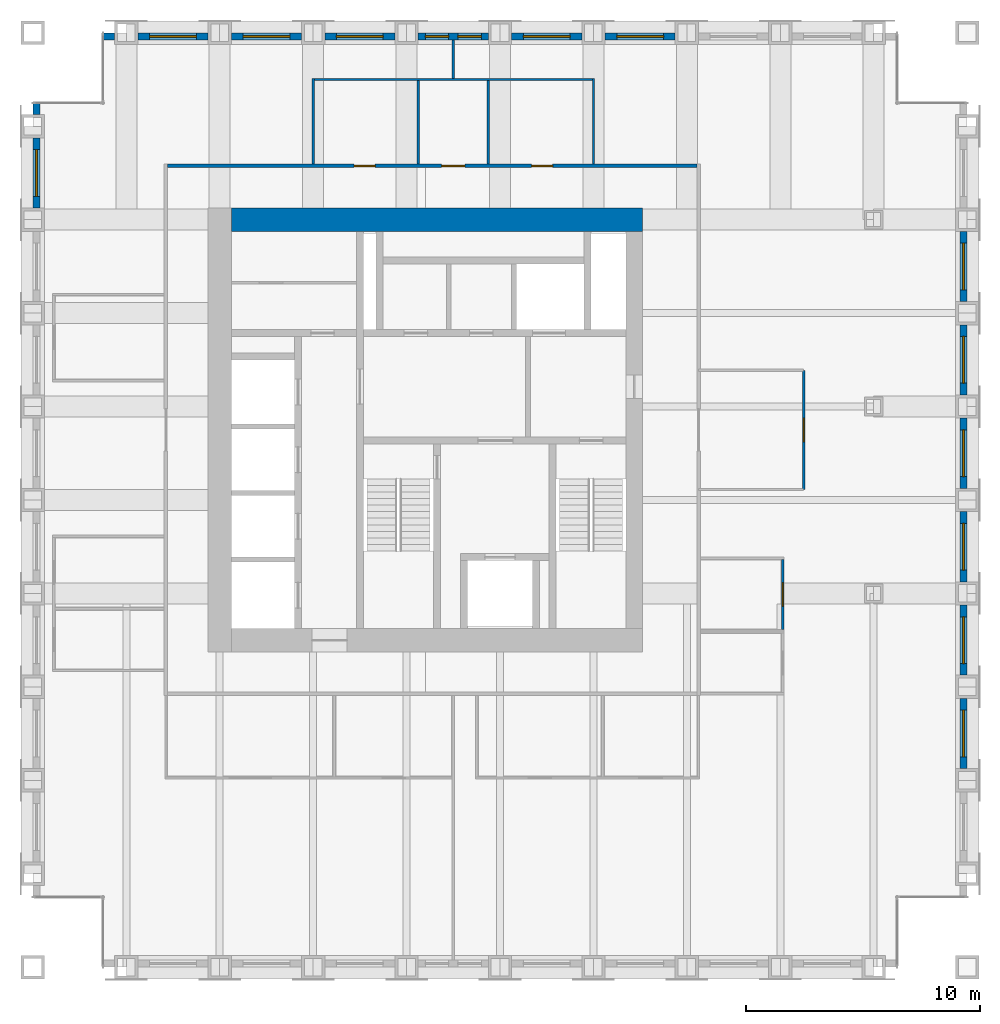
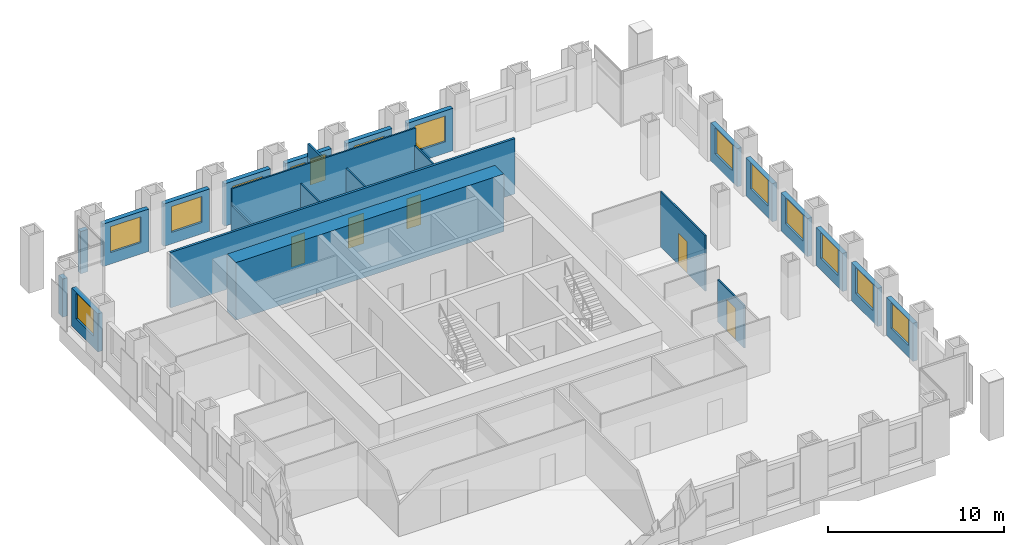
# One storey, part 10 of 12: 25 walls, 14 windows, 5 doors, 19 openings.
"""IFC4 building model written with IfcOpenShell, lengths in metres."""

from ifc_helpers import new_model, si_unit, direction, frame, frame_2d, origin, place, context, subcontext, project, spatial, rectangle, extrude, material, layer, layer_set, type_object, element, fill, save


model = new_model("IFC4")

# Units and contexts
model_context = context("Model", 3, precision=1e-05, world=origin(), true_north=direction((0.0, 1.0)))
body_context = subcontext(model_context, "Body", "Model", "MODEL_VIEW")
ifc_project = project(units=[si_unit("LENGTHUNIT", "METRE"), si_unit("AREAUNIT", "SQUARE_METRE"), si_unit("VOLUMEUNIT", "CUBIC_METRE"), si_unit("PLANEANGLEUNIT", "RADIAN"), si_unit("MASSUNIT", "GRAM", prefix="KILO")], contexts=[model_context])

# Site, building, storey
site_placement = place(None, origin())
site = spatial("IfcSite", under=ifc_project, at=site_placement, CompositionType="ELEMENT")
building_placement = place(site_placement, origin())
building = spatial("IfcBuilding", under=site, at=building_placement, Name="Rimbunsela Tower", CompositionType="ELEMENT")
storey_placement = place(building_placement, frame((0.0, 0.0, 266.199951171875)))
storey = spatial("IfcBuildingStorey", under=building, at=storey_placement, Name="L64", CompositionType="ELEMENT", Elevation=266.199951171875)

# Wall
ifc_material_1 = material(Name="Concrete fc' 80 MPa", Category="concrete")
ifc_layer_1 = layer(ifc_material_1, 1.0)
ifc_layer_set_1 = layer_set([ifc_layer_1], Name="Core wall 1000")
wall_type_1 = type_object("IfcWallType", Name="Core wall 1000", PredefinedType="SHEAR", material=ifc_layer_set_1)
wall_1_placement = place(storey_placement, frame((18.5, 36.0, -0.14990234375), z_axis=(0.0, 0.0, 1.0), x_axis=(1.0, 0.0, 0.0)))
element("IfcWall", 1, at=wall_1_placement, inside=storey, type_object=wall_type_1, Name="Core wall north", PredefinedType="SHEAR", context=body_context, shape_type="SweptSolid", body=[
    extrude(rectangle(XDim=17.60009765625, YDim=1.0, at=frame_2d((8.800048828125, 0.0))), origin(), (0.0, 0.0, 1.0), 4.0),
])

# Wall, opening, door
ifc_material_2 = material(Name="Gypsum board on steel studs", Category="steel")
ifc_layer_2 = layer(ifc_material_2, 0.10009765625)
ifc_layer_set_2 = layer_set([ifc_layer_2], Name="Office partition 100")
wall_type_2 = type_object("IfcWallType", Name="Office partition 100", PredefinedType="PARTITIONING", material=ifc_layer_set_2)
wall_2_placement = place(storey_placement, frame((42.10009765625, 18.449951171875, 0.0), z_axis=(0.0, 0.0, 1.0), x_axis=(0.0, 1.0, 0.0)))
wall_2 = element("IfcWall", 2, at=wall_2_placement, inside=storey, type_object=wall_type_2, Name="Office partition", PredefinedType="PARTITIONING", context=body_context, shape_type="SweptSolid", body=[
    extrude(rectangle(XDim=3.0, YDim=0.10009765625, at=frame_2d((1.5, 0.0))), origin(), (0.0, 0.0, 1.0), 2.949951171875),
])
opening_1_placement = place(wall_2_placement, frame((1.0, 0.0, 0.0)))
opening_1 = element("IfcOpeningElement", 3, at=opening_1_placement, cuts=wall_2, Name="Opening D16", PredefinedType="OPENING", context=body_context, shape_type="SweptSolid", body=[
    extrude(rectangle(XDim=1.0, YDim=2.199951171875, at=frame_2d((0.5, 1.10009765625))), frame((0.0, 0.06005859375, 0.0), z_axis=(0.0, -1.0, 0.0), x_axis=(1.0, 0.0, 0.0)), (0.0, 0.0, 1.0), 0.1201171875),
])
ifc_material_3 = material(Name="Timber door", Category="wood")
door_type_1 = type_object("IfcDoorType", Name="Office door 1000", OperationType="SINGLE_SWING_LEFT", PredefinedType="DOOR", material=ifc_material_3)
door_1_placement = place(opening_1_placement, origin())
door_1 = element("IfcDoor", 4, at=door_1_placement, inside=storey, type_object=door_type_1, Name="Office door", OperationType="SINGLE_SWING_LEFT", OverallHeight=2.199951171875, OverallWidth=1.0, PredefinedType="DOOR", context=body_context, shape_type="SweptSolid", body=[
    extrude(rectangle(XDim=1.0, YDim=2.199951171875, at=frame_2d((0.5, 1.10009765625))), frame((0.0, 0.02490234375, 0.0), z_axis=(0.0, -1.0, 0.0), x_axis=(1.0, 0.0, 0.0)), (0.0, 0.0, 1.0), 0.050048828125),
])
fill(opening_1, door_1)

wall_3_placement = place(storey_placement, frame((43.0, 24.449951171875, 0.0), z_axis=(0.0, 0.0, 1.0), x_axis=(0.0, 1.0, 0.0)))
wall_3 = element("IfcWall", 5, at=wall_3_placement, inside=storey, type_object=wall_type_2, Name="Office partition", PredefinedType="PARTITIONING", context=body_context, shape_type="SweptSolid", body=[
    extrude(rectangle(XDim=5.10009765625, YDim=0.10009765625, at=frame_2d((2.550048828125, 0.0))), origin(), (0.0, 0.0, 1.0), 3.85009765625),
])
opening_2_placement = place(wall_3_placement, frame((2.050048828125, 0.0, 0.0)))
opening_2 = element("IfcOpeningElement", 6, at=opening_2_placement, cuts=wall_3, Name="Opening D17", PredefinedType="OPENING", context=body_context, shape_type="SweptSolid", body=[
    extrude(rectangle(XDim=1.0, YDim=2.199951171875, at=frame_2d((0.5, 1.10009765625))), frame((0.0, 0.06005859375, 0.0), z_axis=(0.0, -1.0, 0.0), x_axis=(1.0, 0.0, 0.0)), (0.0, 0.0, 1.0), 0.1201171875),
])
ifc_material_4 = material(Name="Glazed aluminium door", Category="aluminium")
door_type_2 = type_object("IfcDoorType", Name="Meeting room door 1000 glazed", OperationType="SINGLE_SWING_RIGHT", PredefinedType="DOOR", material=ifc_material_4)
door_2_placement = place(opening_2_placement, origin())
door_2 = element("IfcDoor", 7, at=door_2_placement, inside=storey, type_object=door_type_2, Name="Reception door", OperationType="SINGLE_SWING_RIGHT", OverallHeight=2.199951171875, OverallWidth=1.0, PredefinedType="DOOR", context=body_context, shape_type="SweptSolid", body=[
    extrude(rectangle(XDim=1.0, YDim=2.199951171875, at=frame_2d((0.5, 1.10009765625))), frame((0.0, 0.02490234375, 0.0), z_axis=(0.0, -1.0, 0.0), x_axis=(1.0, 0.0, 0.0)), (0.0, 0.0, 1.0), 0.050048828125),
])
fill(opening_2, door_2)

# Wall, opening, window
ifc_material_5 = material(Name="Precast concrete fc' 35 MPa", Category="concrete")
ifc_layer_3 = layer(ifc_material_5, 0.300048828125)
ifc_layer_set_3 = layer_set([ifc_layer_3], Name="Precast concrete fc' 35 MPa")
wall_type_3 = type_object("IfcWallType", Name="Precast facade panel 300", PredefinedType="ELEMENTEDWALL", material=ifc_layer_set_3)
wall_4_placement = place(storey_placement, frame((49.85009765625, 12.5, 0.0), z_axis=(0.0, 0.0, 1.0), x_axis=(0.0, 1.0, 0.0)))
wall_4 = element("IfcWall", 8, at=wall_4_placement, inside=storey, type_object=wall_type_3, Name="Facade panel E L64", PredefinedType="ELEMENTEDWALL", context=body_context, shape_type="SweptSolid", body=[
    extrude(rectangle(XDim=3.0, YDim=0.300048828125, at=frame_2d((1.5, 0.0))), origin(), (0.0, 0.0, 1.0), 2.650146484375),
])
opening_3_placement = place(wall_4_placement, frame((0.5, 0.0, 0.800048828125)))
opening_3 = element("IfcOpeningElement", 9, at=opening_3_placement, cuts=wall_4, Name="Opening W7", PredefinedType="OPENING", context=body_context, shape_type="SweptSolid", body=[
    extrude(rectangle(XDim=2.0, YDim=1.800048828125, at=frame_2d((1.0, 0.89990234375))), frame((0.0, 0.159912109375, 0.0), z_axis=(0.0, -1.0, 0.0), x_axis=(1.0, 0.0, 0.0)), (0.0, 0.0, 1.0), 0.320068359375),
])
ifc_material_6 = material(Name="Clear glass in aluminium frame", Category="aluminium")
window_type_1 = type_object("IfcWindowType", Name="Window W7 2000x1800", PartitioningType="DOUBLE_PANEL_VERTICAL", PredefinedType="WINDOW", material=ifc_material_6)
window_1_placement = place(opening_3_placement, origin())
window_1 = element("IfcWindow", 10, at=window_1_placement, inside=storey, type_object=window_type_1, Name="Window L64", OverallHeight=1.800048828125, OverallWidth=2.0, PartitioningType="SINGLE_PANEL", PredefinedType="WINDOW", context=body_context, shape_type="SweptSolid", body=[
    extrude(rectangle(XDim=2.0, YDim=1.800048828125, at=frame_2d((1.0, 0.89990234375))), frame((0.0, 0.030029296875, 0.0), z_axis=(0.0, -1.0, 0.0), x_axis=(1.0, 0.0, 0.0)), (0.0, 0.0, 1.0), 0.06005859375),
])
fill(opening_3, window_1)

wall_5_placement = place(storey_placement, frame((49.85009765625, 16.5, 0.0), z_axis=(0.0, 0.0, 1.0), x_axis=(0.0, 1.0, 0.0)))
wall_5 = element("IfcWall", 11, at=wall_5_placement, inside=storey, type_object=wall_type_3, Name="Facade panel E L64", PredefinedType="ELEMENTEDWALL", context=body_context, shape_type="SweptSolid", body=[
    extrude(rectangle(XDim=3.0, YDim=0.300048828125, at=frame_2d((1.5, 0.0))), origin(), (0.0, 0.0, 1.0), 2.650146484375),
])
opening_4_placement = place(wall_5_placement, frame((0.5, 0.0, 0.800048828125)))
opening_4 = element("IfcOpeningElement", 12, at=opening_4_placement, cuts=wall_5, Name="Opening W7", PredefinedType="OPENING", context=body_context, shape_type="SweptSolid", body=[
    extrude(rectangle(XDim=2.0, YDim=1.800048828125, at=frame_2d((1.0, 0.89990234375))), frame((0.0, 0.159912109375, 0.0), z_axis=(0.0, -1.0, 0.0), x_axis=(1.0, 0.0, 0.0)), (0.0, 0.0, 1.0), 0.320068359375),
])
window_2_placement = place(opening_4_placement, origin())
window_2 = element("IfcWindow", 13, at=window_2_placement, inside=storey, type_object=window_type_1, Name="Window L64", OverallHeight=1.800048828125, OverallWidth=2.0, PartitioningType="SINGLE_PANEL", PredefinedType="WINDOW", context=body_context, shape_type="SweptSolid", body=[
    extrude(rectangle(XDim=2.0, YDim=1.800048828125, at=frame_2d((1.0, 0.89990234375))), frame((0.0, 0.030029296875, 0.0), z_axis=(0.0, -1.0, 0.0), x_axis=(1.0, 0.0, 0.0)), (0.0, 0.0, 1.0), 0.06005859375),
])
fill(opening_4, window_2)

wall_6_placement = place(storey_placement, frame((49.85009765625, 20.5, 0.0), z_axis=(0.0, 0.0, 1.0), x_axis=(0.0, 1.0, 0.0)))
wall_6 = element("IfcWall", 14, at=wall_6_placement, inside=storey, type_object=wall_type_3, Name="Facade panel E L64", PredefinedType="ELEMENTEDWALL", context=body_context, shape_type="SweptSolid", body=[
    extrude(rectangle(XDim=3.0, YDim=0.300048828125, at=frame_2d((1.5, 0.0))), origin(), (0.0, 0.0, 1.0), 2.650146484375),
])
opening_5_placement = place(wall_6_placement, frame((0.5, 0.0, 0.800048828125)))
opening_5 = element("IfcOpeningElement", 15, at=opening_5_placement, cuts=wall_6, Name="Opening W7", PredefinedType="OPENING", context=body_context, shape_type="SweptSolid", body=[
    extrude(rectangle(XDim=2.0, YDim=1.800048828125, at=frame_2d((1.0, 0.89990234375))), frame((0.0, 0.159912109375, 0.0), z_axis=(0.0, -1.0, 0.0), x_axis=(1.0, 0.0, 0.0)), (0.0, 0.0, 1.0), 0.320068359375),
])
window_3_placement = place(opening_5_placement, origin())
window_3 = element("IfcWindow", 16, at=window_3_placement, inside=storey, type_object=window_type_1, Name="Window L64", OverallHeight=1.800048828125, OverallWidth=2.0, PartitioningType="SINGLE_PANEL", PredefinedType="WINDOW", context=body_context, shape_type="SweptSolid", body=[
    extrude(rectangle(XDim=2.0, YDim=1.800048828125, at=frame_2d((1.0, 0.89990234375))), frame((0.0, 0.030029296875, 0.0), z_axis=(0.0, -1.0, 0.0), x_axis=(1.0, 0.0, 0.0)), (0.0, 0.0, 1.0), 0.06005859375),
])
fill(opening_5, window_3)

wall_7_placement = place(storey_placement, frame((49.85009765625, 24.5, 0.0), z_axis=(0.0, 0.0, 1.0), x_axis=(0.0, 1.0, 0.0)))
wall_7 = element("IfcWall", 17, at=wall_7_placement, inside=storey, type_object=wall_type_3, Name="Facade panel E L64", PredefinedType="ELEMENTEDWALL", context=body_context, shape_type="SweptSolid", body=[
    extrude(rectangle(XDim=3.0, YDim=0.300048828125, at=frame_2d((1.5, 0.0))), origin(), (0.0, 0.0, 1.0), 2.650146484375),
])
opening_6_placement = place(wall_7_placement, frame((0.5, 0.0, 0.800048828125)))
opening_6 = element("IfcOpeningElement", 18, at=opening_6_placement, cuts=wall_7, Name="Opening W7", PredefinedType="OPENING", context=body_context, shape_type="SweptSolid", body=[
    extrude(rectangle(XDim=2.0, YDim=1.800048828125, at=frame_2d((1.0, 0.89990234375))), frame((0.0, 0.159912109375, 0.0), z_axis=(0.0, -1.0, 0.0), x_axis=(1.0, 0.0, 0.0)), (0.0, 0.0, 1.0), 0.320068359375),
])
window_4_placement = place(opening_6_placement, origin())
window_4 = element("IfcWindow", 19, at=window_4_placement, inside=storey, type_object=window_type_1, Name="Window L64", OverallHeight=1.800048828125, OverallWidth=2.0, PartitioningType="SINGLE_PANEL", PredefinedType="WINDOW", context=body_context, shape_type="SweptSolid", body=[
    extrude(rectangle(XDim=2.0, YDim=1.800048828125, at=frame_2d((1.0, 0.89990234375))), frame((0.0, 0.030029296875, 0.0), z_axis=(0.0, -1.0, 0.0), x_axis=(1.0, 0.0, 0.0)), (0.0, 0.0, 1.0), 0.06005859375),
])
fill(opening_6, window_4)

wall_8_placement = place(storey_placement, frame((49.85009765625, 28.5, 0.0), z_axis=(0.0, 0.0, 1.0), x_axis=(0.0, 1.0, 0.0)))
wall_8 = element("IfcWall", 20, at=wall_8_placement, inside=storey, type_object=wall_type_3, Name="Facade panel E L64", PredefinedType="ELEMENTEDWALL", context=body_context, shape_type="SweptSolid", body=[
    extrude(rectangle(XDim=3.0, YDim=0.300048828125, at=frame_2d((1.5, 0.0))), origin(), (0.0, 0.0, 1.0), 2.650146484375),
])
opening_7_placement = place(wall_8_placement, frame((0.5, 0.0, 0.800048828125)))
opening_7 = element("IfcOpeningElement", 21, at=opening_7_placement, cuts=wall_8, Name="Opening W7", PredefinedType="OPENING", context=body_context, shape_type="SweptSolid", body=[
    extrude(rectangle(XDim=2.0, YDim=1.800048828125, at=frame_2d((1.0, 0.89990234375))), frame((0.0, 0.159912109375, 0.0), z_axis=(0.0, -1.0, 0.0), x_axis=(1.0, 0.0, 0.0)), (0.0, 0.0, 1.0), 0.320068359375),
])
window_5_placement = place(opening_7_placement, origin())
window_5 = element("IfcWindow", 22, at=window_5_placement, inside=storey, type_object=window_type_1, Name="Window L64", OverallHeight=1.800048828125, OverallWidth=2.0, PartitioningType="SINGLE_PANEL", PredefinedType="WINDOW", context=body_context, shape_type="SweptSolid", body=[
    extrude(rectangle(XDim=2.0, YDim=1.800048828125, at=frame_2d((1.0, 0.89990234375))), frame((0.0, 0.030029296875, 0.0), z_axis=(0.0, -1.0, 0.0), x_axis=(1.0, 0.0, 0.0)), (0.0, 0.0, 1.0), 0.06005859375),
])
fill(opening_7, window_5)

wall_9_placement = place(storey_placement, frame((49.85009765625, 32.5, 0.0), z_axis=(0.0, 0.0, 1.0), x_axis=(0.0, 1.0, 0.0)))
wall_9 = element("IfcWall", 23, at=wall_9_placement, inside=storey, type_object=wall_type_3, Name="Facade panel E L64", PredefinedType="ELEMENTEDWALL", context=body_context, shape_type="SweptSolid", body=[
    extrude(rectangle(XDim=3.0, YDim=0.300048828125, at=frame_2d((1.5, 0.0))), origin(), (0.0, 0.0, 1.0), 2.650146484375),
])
opening_8_placement = place(wall_9_placement, frame((0.5, 0.0, 0.800048828125)))
opening_8 = element("IfcOpeningElement", 24, at=opening_8_placement, cuts=wall_9, Name="Opening W7", PredefinedType="OPENING", context=body_context, shape_type="SweptSolid", body=[
    extrude(rectangle(XDim=2.0, YDim=1.800048828125, at=frame_2d((1.0, 0.89990234375))), frame((0.0, 0.159912109375, 0.0), z_axis=(0.0, -1.0, 0.0), x_axis=(1.0, 0.0, 0.0)), (0.0, 0.0, 1.0), 0.320068359375),
])
window_6_placement = place(opening_8_placement, origin())
window_6 = element("IfcWindow", 25, at=window_6_placement, inside=storey, type_object=window_type_1, Name="Window L64", OverallHeight=1.800048828125, OverallWidth=2.0, PartitioningType="SINGLE_PANEL", PredefinedType="WINDOW", context=body_context, shape_type="SweptSolid", body=[
    extrude(rectangle(XDim=2.0, YDim=1.800048828125, at=frame_2d((1.0, 0.89990234375))), frame((0.0, 0.030029296875, 0.0), z_axis=(0.0, -1.0, 0.0), x_axis=(1.0, 0.0, 0.0)), (0.0, 0.0, 1.0), 0.06005859375),
])
fill(opening_8, window_6)

# Wall
wall_10_placement = place(storey_placement, frame((13.5, 43.85009765625, 0.0), z_axis=(0.0, 0.0, 1.0), x_axis=(-1.0, 0.0, 0.0)))
element("IfcWall", 26, at=wall_10_placement, inside=storey, type_object=wall_type_3, Name="Facade panel N L64", PredefinedType="ELEMENTEDWALL", context=body_context, shape_type="SweptSolid", body=[
    extrude(rectangle(XDim=0.469970703125, YDim=0.300048828125, at=frame_2d((0.23486328125, 0.0))), origin(), (0.0, 0.0, 1.0), 2.949951171875),
])

# Wall, opening, window
wall_11_placement = place(storey_placement, frame((17.5, 43.85009765625, 0.0), z_axis=(0.0, 0.0, 1.0), x_axis=(-1.0, 0.0, 0.0)))
wall_11 = element("IfcWall", 27, at=wall_11_placement, inside=storey, type_object=wall_type_3, Name="Facade panel N L64", PredefinedType="ELEMENTEDWALL", context=body_context, shape_type="SweptSolid", body=[
    extrude(rectangle(XDim=3.0, YDim=0.300048828125, at=frame_2d((1.5, 0.0))), origin(), (0.0, 0.0, 1.0), 2.949951171875),
])
opening_9_placement = place(wall_11_placement, frame((0.5, 0.0, 0.800048828125)))
opening_9 = element("IfcOpeningElement", 28, at=opening_9_placement, cuts=wall_11, Name="Opening W7", PredefinedType="OPENING", context=body_context, shape_type="SweptSolid", body=[
    extrude(rectangle(XDim=2.0, YDim=1.800048828125, at=frame_2d((1.0, 0.89990234375))), frame((0.0, 0.159912109375, 0.0), z_axis=(0.0, -1.0, 0.0), x_axis=(1.0, 0.0, 0.0)), (0.0, 0.0, 1.0), 0.320068359375),
])
window_7_placement = place(opening_9_placement, origin())
window_7 = element("IfcWindow", 29, at=window_7_placement, inside=storey, type_object=window_type_1, Name="Window L64", OverallHeight=1.800048828125, OverallWidth=2.0, PartitioningType="SINGLE_PANEL", PredefinedType="WINDOW", context=body_context, shape_type="SweptSolid", body=[
    extrude(rectangle(XDim=2.0, YDim=1.800048828125, at=frame_2d((1.0, 0.89990234375))), frame((0.0, 0.030029296875, 0.0), z_axis=(0.0, -1.0, 0.0), x_axis=(1.0, 0.0, 0.0)), (0.0, 0.0, 1.0), 0.06005859375),
])
fill(opening_9, window_7)

wall_12_placement = place(storey_placement, frame((21.5, 43.85009765625, 0.0), z_axis=(0.0, 0.0, 1.0), x_axis=(-1.0, 0.0, 0.0)))
wall_12 = element("IfcWall", 30, at=wall_12_placement, inside=storey, type_object=wall_type_3, Name="Facade panel N L64", PredefinedType="ELEMENTEDWALL", context=body_context, shape_type="SweptSolid", body=[
    extrude(rectangle(XDim=3.0, YDim=0.300048828125, at=frame_2d((1.5, 0.0))), origin(), (0.0, 0.0, 1.0), 2.949951171875),
])
opening_10_placement = place(wall_12_placement, frame((0.5, 0.0, 0.800048828125)))
opening_10 = element("IfcOpeningElement", 31, at=opening_10_placement, cuts=wall_12, Name="Opening W7", PredefinedType="OPENING", context=body_context, shape_type="SweptSolid", body=[
    extrude(rectangle(XDim=2.0, YDim=1.800048828125, at=frame_2d((1.0, 0.89990234375))), frame((0.0, 0.159912109375, 0.0), z_axis=(0.0, -1.0, 0.0), x_axis=(1.0, 0.0, 0.0)), (0.0, 0.0, 1.0), 0.320068359375),
])
window_8_placement = place(opening_10_placement, origin())
window_8 = element("IfcWindow", 32, at=window_8_placement, inside=storey, type_object=window_type_1, Name="Window L64", OverallHeight=1.800048828125, OverallWidth=2.0, PartitioningType="SINGLE_PANEL", PredefinedType="WINDOW", context=body_context, shape_type="SweptSolid", body=[
    extrude(rectangle(XDim=2.0, YDim=1.800048828125, at=frame_2d((1.0, 0.89990234375))), frame((0.0, 0.030029296875, 0.0), z_axis=(0.0, -1.0, 0.0), x_axis=(1.0, 0.0, 0.0)), (0.0, 0.0, 1.0), 0.06005859375),
])
fill(opening_10, window_8)

wall_13_placement = place(storey_placement, frame((25.5, 43.85009765625, 0.0), z_axis=(0.0, 0.0, 1.0), x_axis=(-1.0, 0.0, 0.0)))
wall_13 = element("IfcWall", 33, at=wall_13_placement, inside=storey, type_object=wall_type_3, Name="Facade panel N L64", PredefinedType="ELEMENTEDWALL", context=body_context, shape_type="SweptSolid", body=[
    extrude(rectangle(XDim=3.0, YDim=0.300048828125, at=frame_2d((1.5, 0.0))), origin(), (0.0, 0.0, 1.0), 2.949951171875),
])
opening_11_placement = place(wall_13_placement, frame((0.5, 0.0, 0.800048828125)))
opening_11 = element("IfcOpeningElement", 34, at=opening_11_placement, cuts=wall_13, Name="Opening W7", PredefinedType="OPENING", context=body_context, shape_type="SweptSolid", body=[
    extrude(rectangle(XDim=2.0, YDim=1.800048828125, at=frame_2d((1.0, 0.89990234375))), frame((0.0, 0.159912109375, 0.0), z_axis=(0.0, -1.0, 0.0), x_axis=(1.0, 0.0, 0.0)), (0.0, 0.0, 1.0), 0.320068359375),
])
window_9_placement = place(opening_11_placement, origin())
window_9 = element("IfcWindow", 35, at=window_9_placement, inside=storey, type_object=window_type_1, Name="Window L64", OverallHeight=1.800048828125, OverallWidth=2.0, PartitioningType="SINGLE_PANEL", PredefinedType="WINDOW", context=body_context, shape_type="SweptSolid", body=[
    extrude(rectangle(XDim=2.0, YDim=1.800048828125, at=frame_2d((1.0, 0.89990234375))), frame((0.0, 0.030029296875, 0.0), z_axis=(0.0, -1.0, 0.0), x_axis=(1.0, 0.0, 0.0)), (0.0, 0.0, 1.0), 0.06005859375),
])
fill(opening_11, window_9)

# Wall, openings, windows
wall_14_placement = place(storey_placement, frame((29.5, 43.85009765625, 0.0), z_axis=(0.0, 0.0, 1.0), x_axis=(-1.0, 0.0, 0.0)))
wall_14 = element("IfcWall", 36, at=wall_14_placement, inside=storey, type_object=wall_type_3, Name="Facade panel N L64", PredefinedType="ELEMENTEDWALL", context=body_context, shape_type="SweptSolid", body=[
    extrude(rectangle(XDim=3.0, YDim=0.300048828125, at=frame_2d((1.5, 0.0))), origin(), (0.0, 0.0, 1.0), 2.949951171875),
])
opening_12_placement = place(wall_14_placement, frame((1.699951171875, 0.0, 0.800048828125)))
opening_12 = element("IfcOpeningElement", 37, at=opening_12_placement, cuts=wall_14, Name="Opening W8", PredefinedType="OPENING", context=body_context, shape_type="SweptSolid", body=[
    extrude(rectangle(XDim=1.0, YDim=1.800048828125, at=frame_2d((0.5, 0.89990234375))), frame((0.0, 0.159912109375, 0.0), z_axis=(0.0, -1.0, 0.0), x_axis=(1.0, 0.0, 0.0)), (0.0, 0.0, 1.0), 0.320068359375),
])
opening_13_placement = place(wall_14_placement, frame((0.300048828125, 0.0, 0.800048828125)))
opening_13 = element("IfcOpeningElement", 38, at=opening_13_placement, cuts=wall_14, Name="Opening W8", PredefinedType="OPENING", context=body_context, shape_type="SweptSolid", body=[
    extrude(rectangle(XDim=1.0, YDim=1.800048828125, at=frame_2d((0.5, 0.89990234375))), frame((0.0, 0.159912109375, 0.0), z_axis=(0.0, -1.0, 0.0), x_axis=(1.0, 0.0, 0.0)), (0.0, 0.0, 1.0), 0.320068359375),
])
ifc_material_7 = material(Name="Clear glass in aluminium frame", Category="aluminium")
window_type_2 = type_object("IfcWindowType", Name="Window W8 1000x1800", PartitioningType="SINGLE_PANEL", PredefinedType="WINDOW", material=ifc_material_7)
window_10_placement = place(opening_12_placement, origin())
window_10 = element("IfcWindow", 39, at=window_10_placement, inside=storey, type_object=window_type_2, Name="Window L64", OverallHeight=1.800048828125, OverallWidth=1.0, PartitioningType="SINGLE_PANEL", PredefinedType="WINDOW", context=body_context, shape_type="SweptSolid", body=[
    extrude(rectangle(XDim=1.0, YDim=1.800048828125, at=frame_2d((0.5, 0.89990234375))), frame((0.0, 0.030029296875, 0.0), z_axis=(0.0, -1.0, 0.0), x_axis=(1.0, 0.0, 0.0)), (0.0, 0.0, 1.0), 0.06005859375),
])
fill(opening_12, window_10)
window_11_placement = place(opening_13_placement, origin())
window_11 = element("IfcWindow", 40, at=window_11_placement, inside=storey, type_object=window_type_2, Name="Window L64", OverallHeight=1.800048828125, OverallWidth=1.0, PartitioningType="SINGLE_PANEL", PredefinedType="WINDOW", context=body_context, shape_type="SweptSolid", body=[
    extrude(rectangle(XDim=1.0, YDim=1.800048828125, at=frame_2d((0.5, 0.89990234375))), frame((0.0, 0.030029296875, 0.0), z_axis=(0.0, -1.0, 0.0), x_axis=(1.0, 0.0, 0.0)), (0.0, 0.0, 1.0), 0.06005859375),
])
fill(opening_13, window_11)

# Wall, opening, window
wall_15_placement = place(storey_placement, frame((33.5, 43.85009765625, 0.0), z_axis=(0.0, 0.0, 1.0), x_axis=(-1.0, 0.0, 0.0)))
wall_15 = element("IfcWall", 41, at=wall_15_placement, inside=storey, type_object=wall_type_3, Name="Facade panel N L64", PredefinedType="ELEMENTEDWALL", context=body_context, shape_type="SweptSolid", body=[
    extrude(rectangle(XDim=3.0, YDim=0.300048828125, at=frame_2d((1.5, 0.0))), origin(), (0.0, 0.0, 1.0), 2.949951171875),
])
opening_14_placement = place(wall_15_placement, frame((0.5, 0.0, 0.800048828125)))
opening_14 = element("IfcOpeningElement", 42, at=opening_14_placement, cuts=wall_15, Name="Opening W7", PredefinedType="OPENING", context=body_context, shape_type="SweptSolid", body=[
    extrude(rectangle(XDim=2.0, YDim=1.800048828125, at=frame_2d((1.0, 0.89990234375))), frame((0.0, 0.159912109375, 0.0), z_axis=(0.0, -1.0, 0.0), x_axis=(1.0, 0.0, 0.0)), (0.0, 0.0, 1.0), 0.320068359375),
])
window_12_placement = place(opening_14_placement, origin())
window_12 = element("IfcWindow", 43, at=window_12_placement, inside=storey, type_object=window_type_1, Name="Window L64", OverallHeight=1.800048828125, OverallWidth=2.0, PartitioningType="SINGLE_PANEL", PredefinedType="WINDOW", context=body_context, shape_type="SweptSolid", body=[
    extrude(rectangle(XDim=2.0, YDim=1.800048828125, at=frame_2d((1.0, 0.89990234375))), frame((0.0, 0.030029296875, 0.0), z_axis=(0.0, -1.0, 0.0), x_axis=(1.0, 0.0, 0.0)), (0.0, 0.0, 1.0), 0.06005859375),
])
fill(opening_14, window_12)

wall_16_placement = place(storey_placement, frame((37.5, 43.85009765625, 0.0), z_axis=(0.0, 0.0, 1.0), x_axis=(-1.0, 0.0, 0.0)))
wall_16 = element("IfcWall", 44, at=wall_16_placement, inside=storey, type_object=wall_type_3, Name="Facade panel N L64", PredefinedType="ELEMENTEDWALL", context=body_context, shape_type="SweptSolid", body=[
    extrude(rectangle(XDim=3.0, YDim=0.300048828125, at=frame_2d((1.5, 0.0))), origin(), (0.0, 0.0, 1.0), 2.949951171875),
])
opening_15_placement = place(wall_16_placement, frame((0.5, 0.0, 0.800048828125)))
opening_15 = element("IfcOpeningElement", 45, at=opening_15_placement, cuts=wall_16, Name="Opening W7", PredefinedType="OPENING", context=body_context, shape_type="SweptSolid", body=[
    extrude(rectangle(XDim=2.0, YDim=1.800048828125, at=frame_2d((1.0, 0.89990234375))), frame((0.0, 0.159912109375, 0.0), z_axis=(0.0, -1.0, 0.0), x_axis=(1.0, 0.0, 0.0)), (0.0, 0.0, 1.0), 0.320068359375),
])
window_13_placement = place(opening_15_placement, origin())
window_13 = element("IfcWindow", 46, at=window_13_placement, inside=storey, type_object=window_type_1, Name="Window L64", OverallHeight=1.800048828125, OverallWidth=2.0, PartitioningType="SINGLE_PANEL", PredefinedType="WINDOW", context=body_context, shape_type="SweptSolid", body=[
    extrude(rectangle(XDim=2.0, YDim=1.800048828125, at=frame_2d((1.0, 0.89990234375))), frame((0.0, 0.030029296875, 0.0), z_axis=(0.0, -1.0, 0.0), x_axis=(1.0, 0.0, 0.0)), (0.0, 0.0, 1.0), 0.06005859375),
])
fill(opening_15, window_13)

wall_17_placement = place(storey_placement, frame((10.14990234375, 39.5, 0.0), z_axis=(0.0, 0.0, 1.0), x_axis=(0.0, -1.0, 0.0)))
wall_17 = element("IfcWall", 47, at=wall_17_placement, inside=storey, type_object=wall_type_3, Name="Facade panel W L64", PredefinedType="ELEMENTEDWALL", context=body_context, shape_type="SweptSolid", body=[
    extrude(rectangle(XDim=3.0, YDim=0.300048828125, at=frame_2d((1.5, 0.0))), origin(), (0.0, 0.0, 1.0), 2.650146484375),
])
opening_16_placement = place(wall_17_placement, frame((0.5, 0.0, 0.800048828125)))
opening_16 = element("IfcOpeningElement", 48, at=opening_16_placement, cuts=wall_17, Name="Opening W7", PredefinedType="OPENING", context=body_context, shape_type="SweptSolid", body=[
    extrude(rectangle(XDim=2.0, YDim=1.800048828125, at=frame_2d((1.0, 0.89990234375))), frame((0.0, 0.159912109375, 0.0), z_axis=(0.0, -1.0, 0.0), x_axis=(1.0, 0.0, 0.0)), (0.0, 0.0, 1.0), 0.320068359375),
])
window_14_placement = place(opening_16_placement, origin())
window_14 = element("IfcWindow", 49, at=window_14_placement, inside=storey, type_object=window_type_1, Name="Window L64", OverallHeight=1.800048828125, OverallWidth=2.0, PartitioningType="SINGLE_PANEL", PredefinedType="WINDOW", context=body_context, shape_type="SweptSolid", body=[
    extrude(rectangle(XDim=2.0, YDim=1.800048828125, at=frame_2d((1.0, 0.89990234375))), frame((0.0, 0.030029296875, 0.0), z_axis=(0.0, -1.0, 0.0), x_axis=(1.0, 0.0, 0.0)), (0.0, 0.0, 1.0), 0.06005859375),
])
fill(opening_16, window_14)

# Wall
wall_18_placement = place(storey_placement, frame((10.14990234375, 40.969970703125, 0.0), z_axis=(0.0, 0.0, 1.0), x_axis=(0.0, -1.0, 0.0)))
element("IfcWall", 50, at=wall_18_placement, inside=storey, type_object=wall_type_3, Name="Facade panel W L64", PredefinedType="ELEMENTEDWALL", context=body_context, shape_type="SweptSolid", body=[
    extrude(rectangle(XDim=0.469970703125, YDim=0.300048828125, at=frame_2d((0.23486328125, 0.0))), origin(), (0.0, 0.0, 1.0), 2.650146484375),
])

# Wall, openings, doors
ifc_material_8 = material(Name="Fire-rated gypsum board on steel studs, EI 60", Category="steel")
ifc_layer_4 = layer(ifc_material_8, 0.14990234375)
ifc_layer_set_4 = layer_set([ifc_layer_4], Name="Rated corridor wall 150")
wall_type_4 = type_object("IfcWallType", Name="Rated corridor wall 150", PredefinedType="PARTITIONING", material=ifc_layer_set_4)
wall_19_placement = place(storey_placement, frame((15.77490234375, 38.300048828125, 0.0), z_axis=(0.0, 0.0, 1.0), x_axis=(1.0, 0.0, 0.0)))
wall_19 = element("IfcWall", 51, at=wall_19_placement, inside=storey, type_object=wall_type_4, Name="Corridor wall north", PredefinedType="PARTITIONING", context=body_context, shape_type="SweptSolid", body=[
    extrude(rectangle(XDim=22.650146484375, YDim=0.14990234375, at=frame_2d((11.3251953125, 0.0))), origin(), (0.0, 0.0, 1.0), 3.85009765625),
])
opening_17_placement = place(wall_19_placement, frame((7.97509765625, 0.0, 0.0)))
opening_17 = element("IfcOpeningElement", 52, at=opening_17_placement, cuts=wall_19, Name="Opening D04", PredefinedType="OPENING", context=body_context, shape_type="SweptSolid", body=[
    extrude(rectangle(XDim=0.89990234375, YDim=2.10009765625, at=frame_2d((0.449951171875, 1.050048828125))), frame((0.0, 0.0849609375, 0.0), z_axis=(0.0, -1.0, 0.0), x_axis=(1.0, 0.0, 0.0)), (0.0, 0.0, 1.0), 0.169921875),
])
opening_18_placement = place(wall_19_placement, frame((11.72509765625, 0.0, 0.0)))
opening_18 = element("IfcOpeningElement", 53, at=opening_18_placement, cuts=wall_19, Name="Opening D05", PredefinedType="OPENING", context=body_context, shape_type="SweptSolid", body=[
    extrude(rectangle(XDim=1.0, YDim=2.10009765625, at=frame_2d((0.5, 1.050048828125))), frame((0.0, 0.0849609375, 0.0), z_axis=(0.0, -1.0, 0.0), x_axis=(1.0, 0.0, 0.0)), (0.0, 0.0, 1.0), 0.169921875),
])
opening_19_placement = place(wall_19_placement, frame((15.574951171875, 0.0, 0.0)))
opening_19 = element("IfcOpeningElement", 54, at=opening_19_placement, cuts=wall_19, Name="Opening D04", PredefinedType="OPENING", context=body_context, shape_type="SweptSolid", body=[
    extrude(rectangle(XDim=0.89990234375, YDim=2.10009765625, at=frame_2d((0.449951171875, 1.050048828125))), frame((0.0, 0.0849609375, 0.0), z_axis=(0.0, -1.0, 0.0), x_axis=(1.0, 0.0, 0.0)), (0.0, 0.0, 1.0), 0.169921875),
])
ifc_material_9 = material(Name="Timber door", Category="wood")
door_type_3 = type_object("IfcDoorType", Name="Accessible WC door 1000", OperationType="SLIDING_TO_LEFT", PredefinedType="DOOR", material=ifc_material_9)
door_3_placement = place(opening_18_placement, origin())
door_3 = element("IfcDoor", 55, at=door_3_placement, inside=storey, type_object=door_type_3, Name="Accessible WC door", OperationType="SLIDING_TO_LEFT", OverallHeight=2.10009765625, OverallWidth=1.0, PredefinedType="DOOR", context=body_context, shape_type="SweptSolid", body=[
    extrude(rectangle(XDim=1.0, YDim=2.10009765625, at=frame_2d((0.5, 1.050048828125))), frame((0.0, 0.02490234375, 0.0), z_axis=(0.0, -1.0, 0.0), x_axis=(1.0, 0.0, 0.0)), (0.0, 0.0, 1.0), 0.050048828125),
])
fill(opening_18, door_3)
ifc_material_10 = material(Name="Timber door", Category="wood")
door_type_4 = type_object("IfcDoorType", Name="Toilet door 900", OperationType="SINGLE_SWING_LEFT", PredefinedType="DOOR", material=ifc_material_10)
door_4_placement = place(opening_17_placement, origin())
door_4 = element("IfcDoor", 56, at=door_4_placement, inside=storey, type_object=door_type_4, Name="Female WC door", OperationType="SINGLE_SWING_LEFT", OverallHeight=2.10009765625, OverallWidth=0.89990234375, PredefinedType="DOOR", context=body_context, shape_type="SweptSolid", body=[
    extrude(rectangle(XDim=0.89990234375, YDim=2.10009765625, at=frame_2d((0.449951171875, 1.050048828125))), frame((0.0, 0.02490234375, 0.0), z_axis=(0.0, -1.0, 0.0), x_axis=(1.0, 0.0, 0.0)), (0.0, 0.0, 1.0), 0.050048828125),
])
fill(opening_17, door_4)
door_5_placement = place(opening_19_placement, origin())
door_5 = element("IfcDoor", 57, at=door_5_placement, inside=storey, type_object=door_type_4, Name="Male WC door", OperationType="SINGLE_SWING_LEFT", OverallHeight=2.10009765625, OverallWidth=0.89990234375, PredefinedType="DOOR", context=body_context, shape_type="SweptSolid", body=[
    extrude(rectangle(XDim=0.89990234375, YDim=2.10009765625, at=frame_2d((0.449951171875, 1.050048828125))), frame((0.0, 0.02490234375, 0.0), z_axis=(0.0, -1.0, 0.0), x_axis=(1.0, 0.0, 0.0)), (0.0, 0.0, 1.0), 0.050048828125),
])
fill(opening_19, door_5)

# Walls
ifc_material_11 = material(Name="Gypsum board on steel studs", Category="steel")
ifc_layer_5 = layer(ifc_material_11, 0.1201171875)
ifc_layer_set_5 = layer_set([ifc_layer_5], Name="Tenancy partition 120")
wall_type_5 = type_object("IfcWallType", Name="Tenancy partition 120", PredefinedType="PARTITIONING", material=ifc_layer_set_5)
wall_20_placement = place(storey_placement, frame((28.0, 42.050048828125, 0.0), z_axis=(0.0, 0.0, 1.0), x_axis=(0.0, 1.0, 0.0)))
element("IfcWall", 58, at=wall_20_placement, inside=storey, type_object=wall_type_5, Name="Tenancy partition north", PredefinedType="PARTITIONING", context=body_context, shape_type="SweptSolid", body=[
    extrude(rectangle(XDim=1.64990234375, YDim=0.1201171875, at=frame_2d((0.824951171875, 0.0))), origin(), (0.0, 0.0, 1.0), 3.85009765625),
])
ifc_material_12 = material(Name="Concrete blockwork", Category="masonry")
ifc_layer_6 = layer(ifc_material_12, 0.10009765625)
ifc_layer_set_6 = layer_set([ifc_layer_6], Name="Toilet partition 100")
wall_type_6 = type_object("IfcWallType", Name="Toilet partition 100", PredefinedType="PARTITIONING", material=ifc_layer_set_6)
for number, where, z_axis, x_axis, name in (
    (59, (22.0, 38.375, 0.0), (0.0, 0.0, 1.0), (0.0, 1.0, 0.0), "Toilet block wall west"),
    (60, (34.0, 38.375, 0.0), (0.0, 0.0, 1.0), (0.0, 1.0, 0.0), "Toilet block wall east"),
):
    element("IfcWall", number, at=place(storey_placement, frame(where, z_axis=z_axis, x_axis=x_axis)), inside=storey, type_object=wall_type_6, Name=name, PredefinedType="PARTITIONING", context=body_context, shape_type="SweptSolid", body=[
        extrude(rectangle(XDim=3.675048828125, YDim=0.10009765625, at=frame_2d((1.83740234375, 0.0))), origin(), (0.0, 0.0, 1.0), 2.650146484375),
    ])
wall_21_placement = place(storey_placement, frame((21.949951171875, 42.0, 0.0), z_axis=(0.0, 0.0, 1.0), x_axis=(1.0, 0.0, 0.0)))
element("IfcWall", 61, at=wall_21_placement, inside=storey, type_object=wall_type_6, Name="Toilet block wall north", PredefinedType="PARTITIONING", context=body_context, shape_type="SweptSolid", body=[
    extrude(rectangle(XDim=12.10009765625, YDim=0.10009765625, at=frame_2d((6.050048828125, 0.0))), origin(), (0.0, 0.0, 1.0), 3.85009765625),
])
for number, where, z_axis, x_axis, name in (
    (62, (26.5, 38.375, 0.0), (0.0, 0.0, 1.0), (0.0, 1.0, 0.0), "Toilet partition"),
    (63, (29.5, 38.375, 0.0), (0.0, 0.0, 1.0), (0.0, 1.0, 0.0), "Toilet partition"),
):
    element("IfcWall", number, at=place(storey_placement, frame(where, z_axis=z_axis, x_axis=x_axis)), inside=storey, type_object=wall_type_6, Name=name, PredefinedType="PARTITIONING", context=body_context, shape_type="SweptSolid", body=[
        extrude(rectangle(XDim=3.574951171875, YDim=0.10009765625, at=frame_2d((1.78759765625, 0.0))), origin(), (0.0, 0.0, 1.0), 2.650146484375),
    ])

save(model, "model.ifc")
